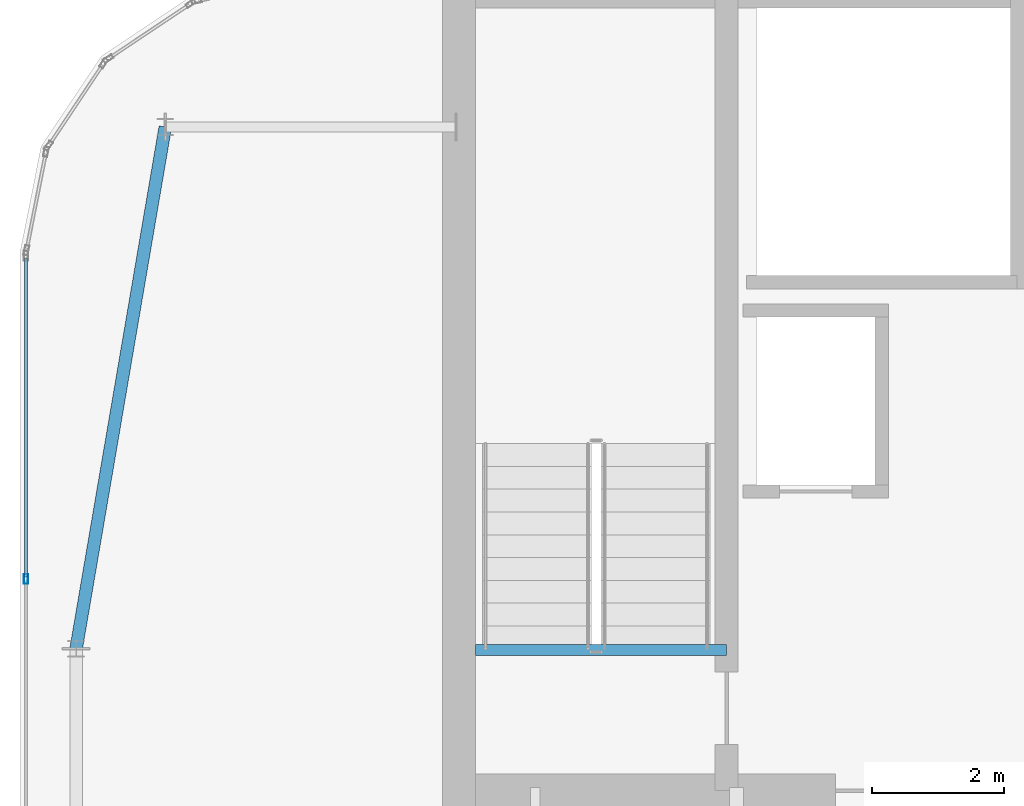
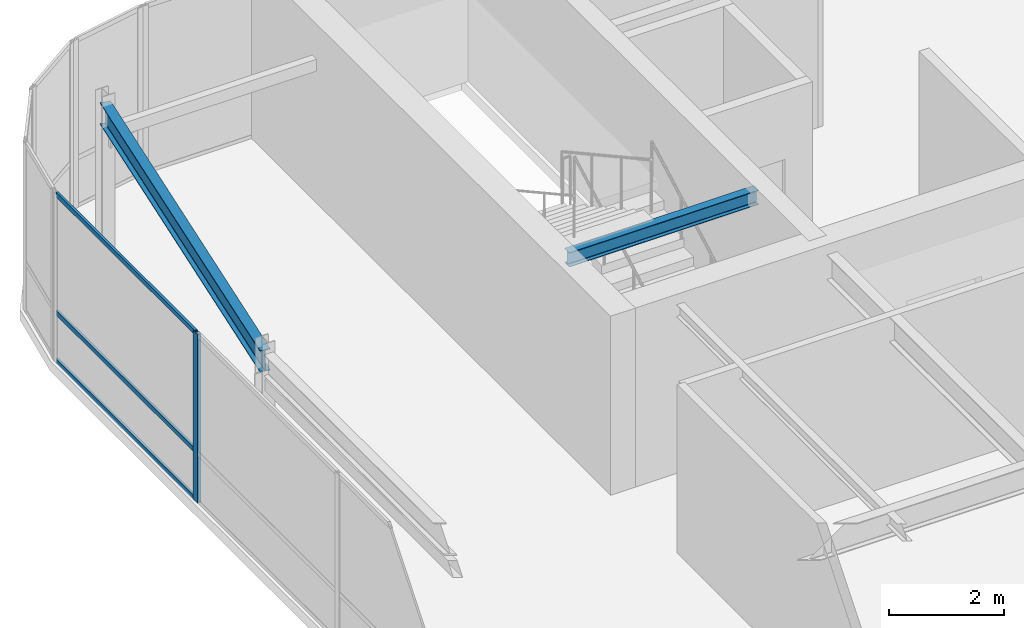
# One storey, part 19 of 36: 4 members, 2 beams, 1 element without a shape of its own.
"""IFC4 building model written with IfcOpenShell, lengths in metres."""

from ifc_helpers import new_model, si_unit, direction, frame, origin, origin_2d, place, context, subcontext, project, spatial, hollow_rectangle, i_section, extrude, source, transform, mapped, material, layer, layer_set, material_profile, profile_set, type_object, type_shapes, element, aggregate, save


model = new_model("IFC4")

# Units and contexts
model_context = context("Model", 3, precision=1e-05, world=origin(), true_north=direction((0.0, 1.0)))
body_context = subcontext(model_context, "Body", "Model", "MODEL_VIEW")
ifc_project = project(units=[si_unit("LENGTHUNIT", "METRE"), si_unit("AREAUNIT", "SQUARE_METRE"), si_unit("VOLUMEUNIT", "CUBIC_METRE"), si_unit("PLANEANGLEUNIT", "RADIAN"), si_unit("MASSUNIT", "GRAM", prefix="KILO")], contexts=[model_context])

# Site, building, storey
site_placement = place(None, origin())
site = spatial("IfcSite", under=ifc_project, at=site_placement, CompositionType="ELEMENT")
building_placement = place(site_placement, origin())
building = spatial("IfcBuilding", under=site, at=building_placement, Name="Tolvann Quenvar Hotel", CompositionType="ELEMENT")
storey_placement = place(building_placement, frame((0.0, 0.0, 306.14990234375)))
storey = spatial("IfcBuildingStorey", under=building, at=storey_placement, Name="L81", CompositionType="ELEMENT", Elevation=306.14990234375)

# Beams
ifc_material_1 = material(Name="Steel Grade 350", Category="steel")
ifc_material_profile_1 = material_profile(ifc_material_1, i_section(OverallWidth=0.166015625, OverallDepth=0.306884765625, WebThickness=0.006591796875, FlangeThickness=0.01171875, FilletRadius=0.011474609375, at=origin_2d()), Name="310UB46")
ifc_profile_set_1 = profile_set([ifc_material_profile_1], Name="Steel Grade 350")
beam_type_1 = type_object("IfcBeamType", Name="BM_JOIST_310UB46", PredefinedType="JOIST", material=ifc_profile_set_1)
shared_shape_1 = source(origin(), body_context, "Body", "SweptSolid", [
    extrude(i_section(OverallWidth=0.166015625, OverallDepth=0.306884765625, WebThickness=0.006591796875, FlangeThickness=0.01171875, FilletRadius=0.011474609375, at=origin_2d()), origin(), (0.0, 0.0, 1.0), 3.800048828125),
])
type_shapes(beam_type_1, [shared_shape_1])
beam_1_placement = place(storey_placement, frame((10.5, 33.97998046875, 3.426513671875), z_axis=(1.0, 0.0, 0.0), x_axis=(0.0, 1.0, 0.0)))
element("IfcBeam", 1, at=beam_1_placement, inside=storey, type_object=beam_type_1, Name="BM-HDR-STC1-L82", PredefinedType="JOIST", context=body_context, shape_type="MappedRepresentation", body=[
    mapped(shared_shape_1, transform((0.0, 0.0, 0.0), x_axis=(1.0, 0.0, 0.0), y_axis=(0.0, 1.0, 0.0), z_axis=(0.0, 0.0, 1.0), scale=1.0)),
])
ifc_material_profile_2 = material_profile(ifc_material_1, i_section(OverallWidth=0.19091796875, OverallDepth=0.4599609375, WebThickness=0.010009765625, FlangeThickness=0.01611328125, FilletRadius=0.011474609375, at=origin_2d()), Name="460UB82")
ifc_profile_set_2 = profile_set([ifc_material_profile_2], Name="Steel Grade 350")
beam_type_2 = type_object("IfcBeamType", Name="BM_SPAND_460UB82", PredefinedType="SPANDREL", material=ifc_profile_set_2)
shared_shape_2 = source(origin(), body_context, "Body", "SweptSolid", [
    extrude(i_section(OverallWidth=0.19091796875, OverallDepth=0.4599609375, WebThickness=0.010009765625, FlangeThickness=0.01611328125, FilletRadius=0.011474609375, at=origin_2d()), origin(), (0.0, 0.0, 1.0), 8.014404296875),
])
type_shapes(beam_type_2, [shared_shape_2])
beam_2_placement = place(storey_placement, frame((4.449951171875, 34.0, 3.35009765625), z_axis=(0.168458176532, 0.985708802213, 0.0), x_axis=(-0.985708802213, 0.168458176532, 0.0)))
element("IfcBeam", 2, at=beam_2_placement, inside=storey, type_object=beam_type_2, Name="BM-L81-FLK-W2", PredefinedType="SPANDREL", context=body_context, shape_type="MappedRepresentation", body=[
    mapped(shared_shape_2, transform((0.0, 0.0, 0.0), x_axis=(1.0, 0.0, 0.0), y_axis=(0.0, 1.0, 0.0), z_axis=(0.0, 0.0, 1.0), scale=1.0)),
])

# Curtain wall, members
ifc_material_2 = material(Name="Thermally broken anodised architectural aluminium 6063-T6 and laminated low-E glass", Category="aluminium")
ifc_layer = layer(ifc_material_2, 0.179931640625)
ifc_layer_set = layer_set([ifc_layer], Name="Thermally broken anodised architectural aluminium 6063-T6 and laminated low-E glass")
curtain_wall_type = type_object("IfcCurtainWallType", Name="CW_SYS_LANT_06", PredefinedType="USERDEFINED", material=ifc_layer_set)
curtain_wall_placement = place(storey_placement, origin())
curtain_wall = element("IfcCurtainWall", 3, at=curtain_wall_placement, inside=storey, type_object=curtain_wall_type, Name="Curtain Wall CW-LANT-06 (CWR-L81-E19)", ObjectType="UNITISED CURTAIN WALL", PredefinedType="USERDEFINED")
ifc_material_3 = material(Name="Anodised architectural aluminium 6063-T6 framing", Category="aluminium")
ifc_material_profile_3 = material_profile(ifc_material_3, hollow_rectangle(XDim=0.06494140625, YDim=0.14990234375, WallThickness=0.00390625, at=origin_2d()), Name="150x65x4RHS")
ifc_profile_set_3 = profile_set([ifc_material_profile_3], Name="Anodised architectural aluminium 6063-T6 framing")
member_type_1 = type_object("IfcMemberType", Name="CW_MULL_150x65", PredefinedType="MULLION", material=ifc_profile_set_3)
shared_shape_3 = source(origin(), body_context, "Body", "SweptSolid", [
    extrude(hollow_rectangle(XDim=0.06494140625, YDim=0.14990234375, WallThickness=0.00390625, at=origin_2d()), origin(), (0.0, 0.0, 1.0), 3.580078125),
])
type_shapes(member_type_1, [shared_shape_3])
member_1_placement = place(storey_placement, frame((3.68994140625, 35.05517578125, 0.0), z_axis=(0.0, 0.0, 1.0), x_axis=(1.0, 0.0, 0.0)))
member_1 = element("IfcMember", 4, at=member_1_placement, type_object=member_type_1, Name="CW-LANT-06 mullion 2", PredefinedType="MULLION", context=body_context, shape_type="MappedRepresentation", body=[
    mapped(shared_shape_3, transform((0.0, 0.0, 0.0), x_axis=(1.0, 0.0, 0.0), y_axis=(0.0, 1.0, 0.0), z_axis=(0.0, 0.0, 1.0), scale=1.0)),
])
ifc_material_profile_4 = material_profile(ifc_material_3, hollow_rectangle(XDim=0.050048828125, YDim=0.10009765625, WallThickness=0.0029296875, at=origin_2d()), Name="100x50x3RHS")
ifc_profile_set_4 = profile_set([ifc_material_profile_4], Name="Anodised architectural aluminium 6063-T6 framing")
member_type_2 = type_object("IfcMemberType", Name="CW_TRAN_100x50", PredefinedType="USERDEFINED", material=ifc_profile_set_4)
shared_shape_4 = source(origin(), body_context, "Body", "SweptSolid", [
    extrude(hollow_rectangle(XDim=0.050048828125, YDim=0.10009765625, WallThickness=0.0029296875, at=origin_2d()), origin(), (0.0, 0.0, 1.0), 4.830078125),
])
type_shapes(member_type_2, [shared_shape_4])
member_2_placement = place(storey_placement, frame((3.68994140625, 39.917724609375, 0.025146484375), z_axis=(0.0, -1.0, 0.0), x_axis=(1.0, 0.0, 0.0)))
member_2 = element("IfcMember", 5, at=member_2_placement, type_object=member_type_2, Name="CW-LANT-06 transom 1.1", ObjectType="TRANSOM", PredefinedType="USERDEFINED", context=body_context, shape_type="MappedRepresentation", body=[
    mapped(shared_shape_4, transform((0.0, 0.0, 0.0), x_axis=(1.0, 0.0, 0.0), y_axis=(0.0, 1.0, 0.0), z_axis=(0.0, 0.0, 1.0), scale=1.0)),
])
member_3_placement = place(storey_placement, frame((3.68994140625, 39.917724609375, 1.050048828125), z_axis=(0.0, -1.0, 0.0), x_axis=(1.0, 0.0, 0.0)))
member_3 = element("IfcMember", 6, at=member_3_placement, type_object=member_type_2, Name="CW-LANT-06 transom 1.2", ObjectType="TRANSOM", PredefinedType="USERDEFINED", context=body_context, shape_type="MappedRepresentation", body=[
    mapped(shared_shape_4, transform((0.0, 0.0, 0.0), x_axis=(1.0, 0.0, 0.0), y_axis=(0.0, 1.0, 0.0), z_axis=(0.0, 0.0, 1.0), scale=1.0)),
])
member_4_placement = place(storey_placement, frame((3.68994140625, 39.917724609375, 3.55517578125), z_axis=(0.0, -1.0, 0.0), x_axis=(1.0, 0.0, 0.0)))
member_4 = element("IfcMember", 7, at=member_4_placement, type_object=member_type_2, Name="CW-LANT-06 transom 1.3", ObjectType="TRANSOM", PredefinedType="USERDEFINED", context=body_context, shape_type="MappedRepresentation", body=[
    mapped(shared_shape_4, transform((0.0, 0.0, 0.0), x_axis=(1.0, 0.0, 0.0), y_axis=(0.0, 1.0, 0.0), z_axis=(0.0, 0.0, 1.0), scale=1.0)),
])
aggregate(curtain_wall, [member_1, member_2, member_3, member_4])

save(model, "model.ifc")
